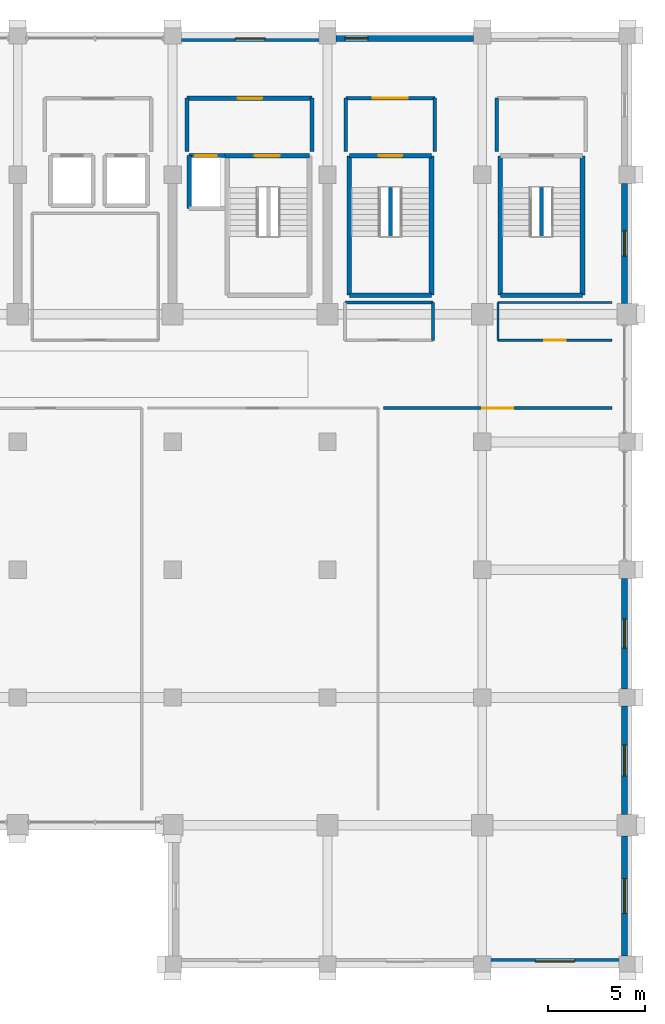
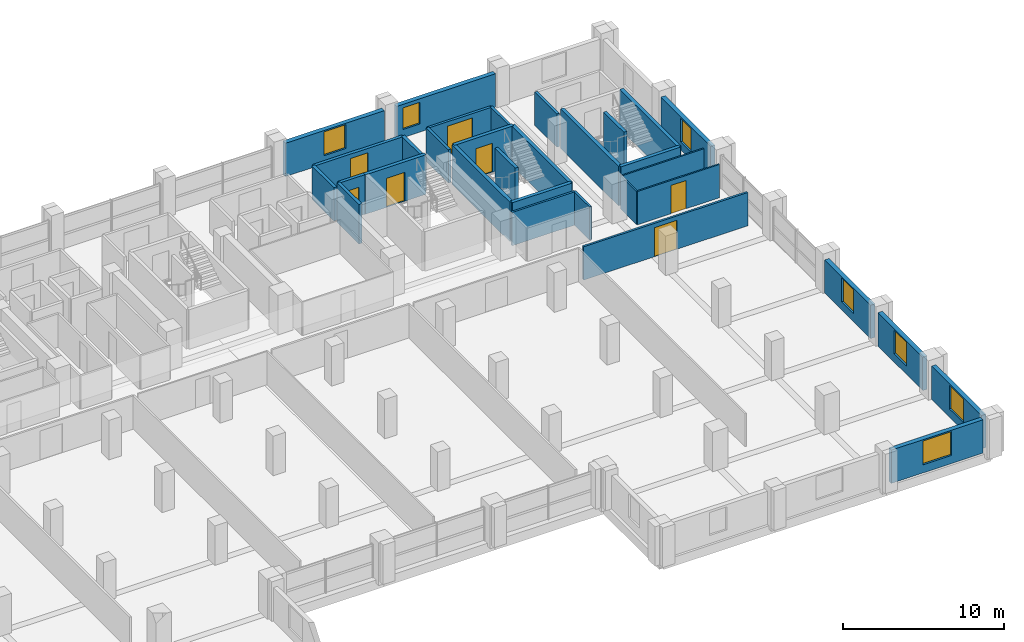
# One storey, part 19 of 21: 32 walls, 7 doors, 7 windows, 14 openings.
"""IFC4 building model written with IfcOpenShell, lengths in metres."""

from ifc_helpers import new_model, si_unit, direction, frame, frame_2d, origin, place, context, subcontext, project, spatial, rectangle, extrude, material, layer, layer_set, type_object, element, fill, save


model = new_model("IFC4")

# Units and contexts
model_context = context("Model", 3, precision=1e-05, world=origin(), true_north=direction((0.0, 1.0)))
body_context = subcontext(model_context, "Body", "Model", "MODEL_VIEW")
ifc_project = project(units=[si_unit("LENGTHUNIT", "METRE"), si_unit("AREAUNIT", "SQUARE_METRE"), si_unit("VOLUMEUNIT", "CUBIC_METRE"), si_unit("PLANEANGLEUNIT", "RADIAN"), si_unit("MASSUNIT", "GRAM", prefix="KILO")], contexts=[model_context])

# Site, building, storey
site_placement = place(None, origin())
site = spatial("IfcSite", under=ifc_project, at=site_placement, CompositionType="ELEMENT")
building_placement = place(site_placement, origin())
building = spatial("IfcBuilding", under=site, at=building_placement, Name="Akrevak Sports Hall", CompositionType="ELEMENT")
storey_placement = place(building_placement, frame((0.0, 0.0, 34.050048828125)))
storey = spatial("IfcBuildingStorey", under=building, at=storey_placement, Name="L07", CompositionType="ELEMENT", Elevation=34.050048828125)

# Wall, opening, window
ifc_material_1 = material(Name="Limestone Ashlar", Category="stone")
ifc_layer_1 = layer(ifc_material_1, 0.070068359375, Name="Limestone Ashlar")
ifc_material_2 = material(Name="Mineral Wool Thermal Insulation", Category="insulation")
ifc_layer_2 = layer(ifc_material_2, 0.090087890625, Name="Mineral Wool Thermal Insulation")
ifc_material_3 = material(Name="Concrete C40/50", Category="concrete")
ifc_layer_3 = layer(ifc_material_3, 0.159912109375, Name="Concrete C40/50")
ifc_layer_set_1 = layer_set([ifc_layer_1, ifc_layer_2, ifc_layer_3], Name="Limestone Ashlar / Mineral Wool Thermal Insulation / Concrete C40/50")
wall_type_1 = type_object("IfcWallType", Name="ARC-WL-EXT-320", PredefinedType="SOLIDWALL", material=ifc_layer_set_1)
wall_1_placement = place(storey_placement, frame((108.449951171875, 21.760009765625, 0.0), z_axis=(0.0, 0.0, 1.0), x_axis=(1.0, 0.0, 0.0)))
wall_1 = element("IfcWall", 1, at=wall_1_placement, inside=storey, type_object=wall_type_1, Name="Tower Stone Facade Wall L07-S11", PredefinedType="SOLIDWALL", context=body_context, shape_type="SweptSolid", body=[
    extrude(rectangle(XDim=6.60009765625, YDim=0.320068359375, at=frame_2d((3.300048828125, 0.0))), origin(), (0.0, 0.0, 1.0), 2.530029296875),
])
opening_1_placement = place(wall_1_placement, frame((2.27490234375, 0.0, 0.6201171875)))
opening_1 = element("IfcOpeningElement", 2, at=opening_1_placement, cuts=wall_1, Name="Opening WN-53", PredefinedType="OPENING", context=body_context, shape_type="SweptSolid", body=[
    extrude(rectangle(XDim=2.050048828125, YDim=1.81005859375, at=frame_2d((1.02490234375, 0.905029296875))), frame((0.0, 0.171875, 0.0), z_axis=(0.0, -1.0, 0.0), x_axis=(1.0, 0.0, 0.0)), (0.0, 0.0, 1.0), 0.343994140625),
])
ifc_material_4 = material(Name="Thermally Broken Bronze Frame & Double Low-E Glass", Category="glass")
window_type_1 = type_object("IfcWindowType", Name="ARC-WIN-SZ-2050x1810", PartitioningType="SINGLE_PANEL", PredefinedType="WINDOW", material=ifc_material_4)
window_1_placement = place(opening_1_placement, origin())
window_1 = element("IfcWindow", 3, at=window_1_placement, inside=storey, type_object=window_type_1, Name="Tower Window L07-S11", OverallHeight=1.81005859375, OverallWidth=2.050048828125, PartitioningType="SINGLE_PANEL", PredefinedType="WINDOW", context=body_context, shape_type="SweptSolid", body=[
    extrude(rectangle(XDim=2.050048828125, YDim=1.81005859375, at=frame_2d((1.02490234375, 0.905029296875))), frame((0.0, 0.030029296875, 0.0), z_axis=(0.0, -1.0, 0.0), x_axis=(1.0, 0.0, 0.0)), (0.0, 0.0, 1.0), 0.06005859375),
])
fill(opening_1, window_1)

wall_2_placement = place(storey_placement, frame((115.340087890625, 22.050048828125, 0.0), z_axis=(0.0, 0.0, 1.0), x_axis=(0.0, 1.0, 0.0)))
wall_2 = element("IfcWall", 4, at=wall_2_placement, inside=storey, type_object=wall_type_1, Name="Tower Stone Facade Wall L07-E12", PredefinedType="SOLIDWALL", context=body_context, shape_type="SweptSolid", body=[
    extrude(rectangle(XDim=6.199951171875, YDim=0.320068359375, at=frame_2d((3.10009765625, 0.0))), origin(), (0.0, 0.0, 1.0), 2.530029296875),
])
opening_2_placement = place(wall_2_placement, frame((2.199951171875, 0.0, 0.6201171875)))
opening_2 = element("IfcOpeningElement", 5, at=opening_2_placement, cuts=wall_2, Name="Opening WN-54", PredefinedType="OPENING", context=body_context, shape_type="SweptSolid", body=[
    extrude(rectangle(XDim=1.800048828125, YDim=1.81005859375, at=frame_2d((0.89990234375, 0.905029296875))), frame((0.0, 0.171875, 0.0), z_axis=(0.0, -1.0, 0.0), x_axis=(1.0, 0.0, 0.0)), (0.0, 0.0, 1.0), 0.343994140625),
])
window_type_2 = type_object("IfcWindowType", Name="ARC-WIN-SZ-1800x1810", PartitioningType="SINGLE_PANEL", PredefinedType="WINDOW", material=ifc_material_4)
window_2_placement = place(opening_2_placement, origin())
window_2 = element("IfcWindow", 6, at=window_2_placement, inside=storey, type_object=window_type_2, Name="Tower Window L07-E12", OverallHeight=1.81005859375, OverallWidth=1.800048828125, PartitioningType="SINGLE_PANEL", PredefinedType="WINDOW", context=body_context, shape_type="SweptSolid", body=[
    extrude(rectangle(XDim=1.800048828125, YDim=1.81005859375, at=frame_2d((0.89990234375, 0.905029296875))), frame((0.0, 0.030029296875, 0.0), z_axis=(0.0, -1.0, 0.0), x_axis=(1.0, 0.0, 0.0)), (0.0, 0.0, 1.0), 0.06005859375),
])
fill(opening_2, window_2)

wall_3_placement = place(storey_placement, frame((115.340087890625, 29.35009765625, 0.0), z_axis=(0.0, 0.0, 1.0), x_axis=(0.0, 1.0, 0.0)))
wall_3 = element("IfcWall", 7, at=wall_3_placement, inside=storey, type_object=wall_type_1, Name="Tower Stone Facade Wall L07-E13", PredefinedType="SOLIDWALL", context=body_context, shape_type="SweptSolid", body=[
    extrude(rectangle(XDim=5.599853515625, YDim=0.320068359375, at=frame_2d((2.7998046875, 0.0))), origin(), (0.0, 0.0, 1.0), 2.530029296875),
])
opening_3_placement = place(wall_3_placement, frame((2.0, 0.0, 0.6201171875)))
opening_3 = element("IfcOpeningElement", 8, at=opening_3_placement, cuts=wall_3, Name="Opening WN-57", PredefinedType="OPENING", context=body_context, shape_type="SweptSolid", body=[
    extrude(rectangle(XDim=1.60009765625, YDim=1.81005859375, at=frame_2d((0.800048828125, 0.905029296875))), frame((0.0, 0.171875, 0.0), z_axis=(0.0, -1.0, 0.0), x_axis=(1.0, 0.0, 0.0)), (0.0, 0.0, 1.0), 0.343994140625),
])
window_type_3 = type_object("IfcWindowType", Name="ARC-WIN-SZ-1600x1810", PartitioningType="SINGLE_PANEL", PredefinedType="WINDOW", material=ifc_material_4)
window_3_placement = place(opening_3_placement, origin())
window_3 = element("IfcWindow", 9, at=window_3_placement, inside=storey, type_object=window_type_3, Name="Tower Window L07-E13", OverallHeight=1.81005859375, OverallWidth=1.60009765625, PartitioningType="SINGLE_PANEL", PredefinedType="WINDOW", context=body_context, shape_type="SweptSolid", body=[
    extrude(rectangle(XDim=1.60009765625, YDim=1.81005859375, at=frame_2d((0.800048828125, 0.905029296875))), frame((0.0, 0.030029296875, 0.0), z_axis=(0.0, -1.0, 0.0), x_axis=(1.0, 0.0, 0.0)), (0.0, 0.0, 1.0), 0.06005859375),
])
fill(opening_3, window_3)

wall_4_placement = place(storey_placement, frame((115.340087890625, 35.85009765625, 0.0), z_axis=(0.0, 0.0, 1.0), x_axis=(0.0, 1.0, 0.0)))
wall_4 = element("IfcWall", 10, at=wall_4_placement, inside=storey, type_object=wall_type_1, Name="Tower Stone Facade Wall L07-E14", PredefinedType="SOLIDWALL", context=body_context, shape_type="SweptSolid", body=[
    extrude(rectangle(XDim=5.699951171875, YDim=0.320068359375, at=frame_2d((2.85009765625, 0.0))), origin(), (0.0, 0.0, 1.0), 2.530029296875),
])
opening_4_placement = place(wall_4_placement, frame((2.10009765625, 0.0, 0.6201171875)))
opening_4 = element("IfcOpeningElement", 11, at=opening_4_placement, cuts=wall_4, Name="Opening WN-48", PredefinedType="OPENING", context=body_context, shape_type="SweptSolid", body=[
    extrude(rectangle(XDim=1.5, YDim=1.81005859375, at=frame_2d((0.75, 0.905029296875))), frame((0.0, 0.171875, 0.0), z_axis=(0.0, -1.0, 0.0), x_axis=(1.0, 0.0, 0.0)), (0.0, 0.0, 1.0), 0.343994140625),
])
window_type_4 = type_object("IfcWindowType", Name="ARC-WIN-SZ-1500x1810", PartitioningType="SINGLE_PANEL", PredefinedType="WINDOW", material=ifc_material_4)
window_4_placement = place(opening_4_placement, origin())
window_4 = element("IfcWindow", 12, at=window_4_placement, inside=storey, type_object=window_type_4, Name="Tower Window L07-E14", OverallHeight=1.81005859375, OverallWidth=1.5, PartitioningType="SINGLE_PANEL", PredefinedType="WINDOW", context=body_context, shape_type="SweptSolid", body=[
    extrude(rectangle(XDim=1.5, YDim=1.81005859375, at=frame_2d((0.75, 0.905029296875))), frame((0.0, 0.030029296875, 0.0), z_axis=(0.0, -1.0, 0.0), x_axis=(1.0, 0.0, 0.0)), (0.0, 0.0, 1.0), 0.06005859375),
])
fill(opening_4, window_4)

wall_5_placement = place(storey_placement, frame((115.340087890625, 55.75, 0.0), z_axis=(0.0, 0.0, 1.0), x_axis=(0.0, 1.0, 0.0)))
wall_5 = element("IfcWall", 13, at=wall_5_placement, inside=storey, type_object=wall_type_1, Name="Tower Stone Facade Wall L07-E17", PredefinedType="SOLIDWALL", context=body_context, shape_type="SweptSolid", body=[
    extrude(rectangle(XDim=6.199951171875, YDim=0.320068359375, at=frame_2d((3.10009765625, 0.0))), origin(), (0.0, 0.0, 1.0), 2.530029296875),
])
opening_5_placement = place(wall_5_placement, frame((2.449951171875, 0.0, 0.6201171875)))
opening_5 = element("IfcOpeningElement", 14, at=opening_5_placement, cuts=wall_5, Name="Opening WN-12", PredefinedType="OPENING", context=body_context, shape_type="SweptSolid", body=[
    extrude(rectangle(XDim=1.300048828125, YDim=1.800048828125, at=frame_2d((0.64990234375, 0.89990234375))), frame((0.0, 0.171875, 0.0), z_axis=(0.0, -1.0, 0.0), x_axis=(1.0, 0.0, 0.0)), (0.0, 0.0, 1.0), 0.343994140625),
])
window_type_5 = type_object("IfcWindowType", Name="ARC-WIN-TW-130x180", PartitioningType="SINGLE_PANEL", PredefinedType="WINDOW", material=ifc_material_4)
window_5_placement = place(opening_5_placement, origin())
window_5 = element("IfcWindow", 15, at=window_5_placement, inside=storey, type_object=window_type_5, Name="Tower Window L07-E17", OverallHeight=1.800048828125, OverallWidth=1.300048828125, PartitioningType="SINGLE_PANEL", PredefinedType="WINDOW", context=body_context, shape_type="SweptSolid", body=[
    extrude(rectangle(XDim=1.300048828125, YDim=1.800048828125, at=frame_2d((0.64990234375, 0.89990234375))), frame((0.0, 0.030029296875, 0.0), z_axis=(0.0, -1.0, 0.0), x_axis=(1.0, 0.0, 0.0)), (0.0, 0.0, 1.0), 0.06005859375),
])
fill(opening_5, window_5)

wall_6_placement = place(storey_placement, frame((107.550048828125, 69.43994140625, 0.0), z_axis=(0.0, 0.0, 1.0), x_axis=(-1.0, 0.0, 0.0)))
wall_6 = element("IfcWall", 16, at=wall_6_placement, inside=storey, type_object=wall_type_1, Name="Tower Stone Facade Wall L07-N20", PredefinedType="SOLIDWALL", context=body_context, shape_type="SweptSolid", body=[
    extrude(rectangle(XDim=7.10009765625, YDim=0.320068359375, at=frame_2d((3.550048828125, 0.0))), origin(), (0.0, 0.0, 1.0), 2.530029296875),
])
opening_6_placement = place(wall_6_placement, frame((5.449951171875, 0.0, 0.6201171875)))
opening_6 = element("IfcOpeningElement", 17, at=opening_6_placement, cuts=wall_6, Name="Opening WN-45", PredefinedType="OPENING", context=body_context, shape_type="SweptSolid", body=[
    extrude(rectangle(XDim=1.199951171875, YDim=1.64990234375, at=frame_2d((0.60009765625, 0.824951171875))), frame((0.0, 0.171875, 0.0), z_axis=(0.0, -1.0, 0.0), x_axis=(1.0, 0.0, 0.0)), (0.0, 0.0, 1.0), 0.343994140625),
])
window_type_6 = type_object("IfcWindowType", Name="ARC-WIN-SZ-1200x1650", PartitioningType="SINGLE_PANEL", PredefinedType="WINDOW", material=ifc_material_4)
window_6_placement = place(opening_6_placement, origin())
window_6 = element("IfcWindow", 18, at=window_6_placement, inside=storey, type_object=window_type_6, Name="Tower Window L07-N20", OverallHeight=1.64990234375, OverallWidth=1.199951171875, PartitioningType="SINGLE_PANEL", PredefinedType="WINDOW", context=body_context, shape_type="SweptSolid", body=[
    extrude(rectangle(XDim=1.199951171875, YDim=1.64990234375, at=frame_2d((0.60009765625, 0.824951171875))), frame((0.0, 0.030029296875, 0.0), z_axis=(0.0, -1.0, 0.0), x_axis=(1.0, 0.0, 0.0)), (0.0, 0.0, 1.0), 0.06005859375),
])
fill(opening_6, window_6)

wall_7_placement = place(storey_placement, frame((99.550048828125, 69.43994140625, 0.0), z_axis=(0.0, 0.0, 1.0), x_axis=(-1.0, 0.0, 0.0)))
wall_7 = element("IfcWall", 19, at=wall_7_placement, inside=storey, type_object=wall_type_1, Name="Tower Stone Facade Wall L07-N21", PredefinedType="SOLIDWALL", context=body_context, shape_type="SweptSolid", body=[
    extrude(rectangle(XDim=7.10009765625, YDim=0.320068359375, at=frame_2d((3.550048828125, 0.0))), origin(), (0.0, 0.0, 1.0), 2.530029296875),
])
opening_7_placement = place(wall_7_placement, frame((2.77490234375, 0.0, 0.6201171875)))
opening_7 = element("IfcOpeningElement", 20, at=opening_7_placement, cuts=wall_7, Name="Opening WN-50", PredefinedType="OPENING", context=body_context, shape_type="SweptSolid", body=[
    extrude(rectangle(XDim=1.550048828125, YDim=1.81005859375, at=frame_2d((0.77490234375, 0.905029296875))), frame((0.0, 0.171875, 0.0), z_axis=(0.0, -1.0, 0.0), x_axis=(1.0, 0.0, 0.0)), (0.0, 0.0, 1.0), 0.343994140625),
])
window_type_7 = type_object("IfcWindowType", Name="ARC-WIN-SZ-1550x1810", PartitioningType="SINGLE_PANEL", PredefinedType="WINDOW", material=ifc_material_4)
window_7_placement = place(opening_7_placement, origin())
window_7 = element("IfcWindow", 21, at=window_7_placement, inside=storey, type_object=window_type_7, Name="Tower Window L07-N21", OverallHeight=1.81005859375, OverallWidth=1.550048828125, PartitioningType="SINGLE_PANEL", PredefinedType="WINDOW", context=body_context, shape_type="SweptSolid", body=[
    extrude(rectangle(XDim=1.550048828125, YDim=1.81005859375, at=frame_2d((0.77490234375, 0.905029296875))), frame((0.0, 0.030029296875, 0.0), z_axis=(0.0, -1.0, 0.0), x_axis=(1.0, 0.0, 0.0)), (0.0, 0.0, 1.0), 0.06005859375),
])
fill(opening_7, window_7)

# Wall, opening, door
ifc_material_5 = material(Name="Lightweight Office Partition", Category="gypsum")
ifc_layer_4 = layer(ifc_material_5, 0.110107421875, Name="Lightweight Office Partition")
ifc_layer_set_2 = layer_set([ifc_layer_4], Name="Lightweight Office Partition")
wall_type_2 = type_object("IfcWallType", Name="ARC-WL-PRT-110", PredefinedType="PARTITIONING", material=ifc_layer_set_2)
wall_8_placement = place(storey_placement, frame((108.800048828125, 53.85009765625, 0.0), z_axis=(0.0, 0.0, 1.0), x_axis=(1.0, 0.0, 0.0)))
wall_8 = element("IfcWall", 22, at=wall_8_placement, inside=storey, type_object=wall_type_2, Name="Interior Partition International Athletics Office L07-E3 (S)", PredefinedType="PARTITIONING", context=body_context, shape_type="SweptSolid", body=[
    extrude(rectangle(XDim=5.89990234375, YDim=0.110107421875, at=frame_2d((2.949951171875, 0.0))), origin(), (0.0, 0.0, 1.0), 2.530029296875),
])
opening_8_placement = place(wall_8_placement, frame((2.39990234375, 0.0, 0.0)))
opening_8 = element("IfcOpeningElement", 23, at=opening_8_placement, cuts=wall_8, Name="Opening ID-04", PredefinedType="OPENING", context=body_context, shape_type="SweptSolid", body=[
    extrude(rectangle(XDim=1.10009765625, YDim=2.14990234375, at=frame_2d((0.550048828125, 1.074951171875))), frame((0.0, 0.06689453125, 0.0), z_axis=(0.0, -1.0, 0.0), x_axis=(1.0, 0.0, 0.0)), (0.0, 0.0, 1.0), 0.134033203125),
])
ifc_material_6 = material(Name="Hardwood Oak Acoustic Leaf", Category="wood")
door_type_1 = type_object("IfcDoorType", Name="ARC-DR-OFF-110x215", OperationType="NOTDEFINED", PredefinedType="DOOR", material=ifc_material_6)
door_1_placement = place(opening_8_placement, origin())
door_1 = element("IfcDoor", 24, at=door_1_placement, inside=storey, type_object=door_type_1, Name="Door to International Athletics Office L07-E3", OperationType="SINGLE_SWING_LEFT", OverallHeight=2.14990234375, OverallWidth=1.10009765625, PredefinedType="DOOR", context=body_context, shape_type="SweptSolid", body=[
    extrude(rectangle(XDim=1.10009765625, YDim=2.14990234375, at=frame_2d((0.550048828125, 1.074951171875))), frame((0.0, 0.02490234375, 0.0), z_axis=(0.0, -1.0, 0.0), x_axis=(1.0, 0.0, 0.0)), (0.0, 0.0, 1.0), 0.050048828125),
])
fill(opening_8, door_1)

# Walls
wall_9_placement = place(storey_placement, frame((108.800048828125, 55.800048828125, 0.0), z_axis=(0.0, 0.0, 1.0), x_axis=(1.0, 0.0, 0.0)))
element("IfcWall", 25, at=wall_9_placement, inside=storey, type_object=wall_type_2, Name="Interior Partition International Athletics Office L07-E3 (N)", PredefinedType="PARTITIONING", context=body_context, shape_type="SweptSolid", body=[
    extrude(rectangle(XDim=5.89990234375, YDim=0.110107421875, at=frame_2d((2.949951171875, 0.0))), origin(), (0.0, 0.0, 1.0), 2.530029296875),
])
wall_10_placement = place(storey_placement, frame((108.800048828125, 53.85009765625, 0.0), z_axis=(0.0, 0.0, 1.0), x_axis=(0.0, 1.0, 0.0)))
element("IfcWall", 26, at=wall_10_placement, inside=storey, type_object=wall_type_2, Name="Interior Partition International Athletics Office L07-E3 (W)", PredefinedType="PARTITIONING", context=body_context, shape_type="SweptSolid", body=[
    extrude(rectangle(XDim=1.949951171875, YDim=0.110107421875, at=frame_2d((0.97509765625, 0.0))), origin(), (0.0, 0.0, 1.0), 2.530029296875),
])

# Wall, opening, door
ifc_material_7 = material(Name="Double Stud Acoustic Gypsum Partition", Category="gypsum")
ifc_layer_5 = layer(ifc_material_7, 0.14990234375, Name="Double Stud Acoustic Gypsum Partition")
ifc_layer_set_3 = layer_set([ifc_layer_5], Name="Double Stud Acoustic Gypsum Partition")
wall_type_3 = type_object("IfcWallType", Name="ARC-WL-PRT-150", PredefinedType="PARTITIONING", material=ifc_layer_set_3)
wall_11_placement = place(storey_placement, frame((102.89990234375, 50.35009765625, 0.0), z_axis=(0.0, 0.0, 1.0), x_axis=(1.0, 0.0, 0.0)))
wall_11 = element("IfcWall", 27, at=wall_11_placement, inside=storey, type_object=wall_type_3, Name="Interior Partition Executive Board Conference Room (L07) (N)", PredefinedType="PARTITIONING", context=body_context, shape_type="SweptSolid", body=[
    extrude(rectangle(XDim=11.800048828125, YDim=0.14990234375, at=frame_2d((5.89990234375, 0.0))), origin(), (0.0, 0.0, 1.0), 2.530029296875),
])
opening_9_placement = place(wall_11_placement, frame((5.10009765625, 0.0, 0.0)))
opening_9 = element("IfcOpeningElement", 28, at=opening_9_placement, cuts=wall_11, Name="Opening ID-03", PredefinedType="OPENING", context=body_context, shape_type="SweptSolid", body=[
    extrude(rectangle(XDim=1.60009765625, YDim=2.199951171875, at=frame_2d((0.800048828125, 1.10009765625))), frame((0.0, 0.0869140625, 0.0), z_axis=(0.0, -1.0, 0.0), x_axis=(1.0, 0.0, 0.0)), (0.0, 0.0, 1.0), 0.173828125),
])
ifc_material_8 = material(Name="Hardwood Oak & Safety Glass", Category="wood")
door_type_2 = type_object("IfcDoorType", Name="ARC-DR-HALL-160x220", OperationType="DOUBLE_DOOR_SINGLE_SWING", PredefinedType="DOOR", material=ifc_material_8)
door_2_placement = place(opening_9_placement, origin())
door_2 = element("IfcDoor", 29, at=door_2_placement, inside=storey, type_object=door_type_2, Name="Door to Executive Board Conference Room (L07)", OperationType="DOUBLE_DOOR_SINGLE_SWING", OverallHeight=2.199951171875, OverallWidth=1.60009765625, PredefinedType="DOOR", context=body_context, shape_type="SweptSolid", body=[
    extrude(rectangle(XDim=1.60009765625, YDim=2.199951171875, at=frame_2d((0.800048828125, 1.10009765625))), frame((0.0, 0.02490234375, 0.0), z_axis=(0.0, -1.0, 0.0), x_axis=(1.0, 0.0, 0.0)), (0.0, 0.0, 1.0), 0.050048828125),
])
fill(opening_9, door_2)

# Walls
wall_12_placement = place(storey_placement, frame((100.89990234375, 55.800048828125, 0.0), z_axis=(0.0, 0.0, 1.0), x_axis=(1.0, 0.0, 0.0)))
element("IfcWall", 30, at=wall_12_placement, inside=storey, type_object=wall_type_3, Name="Interior Partition Federation Research Office L07-E1 (N)", PredefinedType="PARTITIONING", context=body_context, shape_type="SweptSolid", body=[
    extrude(rectangle(XDim=4.550048828125, YDim=0.14990234375, at=frame_2d((2.27490234375, 0.0))), origin(), (0.0, 0.0, 1.0), 2.530029296875),
])
wall_13_placement = place(storey_placement, frame((105.449951171875, 53.85009765625, 0.0), z_axis=(0.0, 0.0, 1.0), x_axis=(0.0, 1.0, 0.0)))
element("IfcWall", 31, at=wall_13_placement, inside=storey, type_object=wall_type_3, Name="Interior Partition Federation Research Office L07-E1 (E)", PredefinedType="PARTITIONING", context=body_context, shape_type="SweptSolid", body=[
    extrude(rectangle(XDim=1.949951171875, YDim=0.14990234375, at=frame_2d((0.97509765625, 0.0))), origin(), (0.0, 0.0, 1.0), 2.530029296875),
])

# Wall, opening, door
ifc_material_9 = material(Name="Autoclaved Aerated Masonry Block", Category="masonry")
ifc_layer_6 = layer(ifc_material_9, 0.179931640625, Name="Autoclaved Aerated Masonry Block")
ifc_layer_set_4 = layer_set([ifc_layer_6], Name="Autoclaved Aerated Masonry Block")
wall_type_4 = type_object("IfcWallType", Name="ARC-WL-PRT-180", PredefinedType="PARTITIONING", material=ifc_layer_set_4)
wall_14_placement = place(storey_placement, frame((100.949951171875, 66.35009765625, 0.0), z_axis=(0.0, 0.0, 1.0), x_axis=(1.0, 0.0, 0.0)))
wall_14 = element("IfcWall", 32, at=wall_14_placement, inside=storey, type_object=wall_type_4, Name="Interior Partition East Wing Stair ST10 Vestibule L07 (N)", PredefinedType="PARTITIONING", context=body_context, shape_type="SweptSolid", body=[
    extrude(rectangle(XDim=4.60009765625, YDim=0.179931640625, at=frame_2d((2.300048828125, 0.0))), origin(), (0.0, 0.0, 1.0), 2.530029296875),
])
opening_10_placement = place(wall_14_placement, frame((1.39990234375, 0.0, 0.0)))
opening_10 = element("IfcOpeningElement", 33, at=opening_10_placement, cuts=wall_14, Name="Opening FD-02", PredefinedType="OPENING", context=body_context, shape_type="SweptSolid", body=[
    extrude(rectangle(XDim=1.800048828125, YDim=2.199951171875, at=frame_2d((0.89990234375, 1.10009765625))), frame((0.0, 0.10205078125, 0.0), z_axis=(0.0, -1.0, 0.0), x_axis=(1.0, 0.0, 0.0)), (0.0, 0.0, 1.0), 0.203857421875),
])
ifc_material_10 = material(Name="Fire-Rated Galvanized Door Steel", Category="steel")
door_type_3 = type_object("IfcDoorType", Name="ARC-DR-FIRE-180x220", OperationType="DOUBLE_DOOR_SINGLE_SWING", PredefinedType="DOOR", material=ifc_material_10)
door_3_placement = place(opening_10_placement, frame((1.800048828125, 0.0, 0.0), z_axis=(0.0, 0.0, 1.0), x_axis=(-1.0, 0.0, 0.0)))
door_3 = element("IfcDoor", 34, at=door_3_placement, inside=storey, type_object=door_type_3, Name="Door to East Wing Stair ST10 Vestibule L07", OperationType="DOUBLE_DOOR_SINGLE_SWING", OverallHeight=2.199951171875, OverallWidth=1.800048828125, PredefinedType="DOOR", context=body_context, shape_type="SweptSolid", body=[
    extrude(rectangle(XDim=1.800048828125, YDim=2.199951171875, at=frame_2d((0.89990234375, 1.10009765625))), frame((0.0, 0.02490234375, 0.0), z_axis=(0.0, -1.0, 0.0), x_axis=(1.0, 0.0, 0.0)), (0.0, 0.0, 1.0), 0.050048828125),
])
fill(opening_10, door_3)

# Walls
for number, where, z_axis, x_axis, name in (
    (35, (100.949951171875, 63.60009765625, 0.0), (0.0, 0.0, 1.0), (0.0, 1.0, 0.0), "Interior Partition East Wing Stair ST10 Vestibule L07 (W)"),
    (36, (105.550048828125, 63.60009765625, 0.0), (0.0, 0.0, 1.0), (0.0, 1.0, 0.0), "Interior Partition East Wing Stair ST10 Vestibule L07 (E)"),
    (37, (108.75, 63.60009765625, 0.0), (0.0, 0.0, 1.0), (0.0, 1.0, 0.0), "Interior Partition East Transfer Stair ST11 Vestibule L07 (W)"),
):
    element("IfcWall", number, at=place(storey_placement, frame(where, z_axis=z_axis, x_axis=x_axis)), inside=storey, type_object=wall_type_4, Name=name, PredefinedType="PARTITIONING", context=body_context, shape_type="SweptSolid", body=[
        extrude(rectangle(XDim=2.75, YDim=0.179931640625, at=frame_2d((1.375, 0.0))), origin(), (0.0, 0.0, 1.0), 2.530029296875),
    ])
ifc_layer_7 = layer(ifc_material_3, 0.219970703125, Name="Concrete C40/50")
ifc_layer_set_5 = layer_set([ifc_layer_7], Name="Concrete C40/50")
wall_type_5 = type_object("IfcWallType", Name="ARC-WL-PRT-220", PredefinedType="PARTITIONING", material=ifc_layer_set_5)
for number, where, z_axis, x_axis, name in (
    (38, (103.25, 59.215087890625, 0.0), (0.0, 0.0, 1.0), (0.0, 1.0, 0.0), "Stair ST10 Central Spine Wall (L07)"),
    (39, (111.050048828125, 59.215087890625, 0.0), (0.0, 0.0, 1.0), (0.0, 1.0, 0.0), "Stair ST11 Central Spine Wall (L07)"),
):
    element("IfcWall", number, at=place(storey_placement, frame(where, z_axis=z_axis, x_axis=x_axis)), inside=storey, type_object=wall_type_5, Name=name, PredefinedType="PARTITIONING", context=body_context, shape_type="SweptSolid", body=[
        extrude(rectangle(XDim=2.52001953125, YDim=0.219970703125, at=frame_2d((1.260009765625, 0.0))), origin(), (0.0, 0.0, 1.0), 3.0),
    ])

# Wall, opening, door
wall_15_placement = place(storey_placement, frame((92.75, 66.35009765625, 0.0), z_axis=(0.0, 0.0, 1.0), x_axis=(1.0, 0.0, 0.0)))
wall_15 = element("IfcWall", 40, at=wall_15_placement, inside=storey, type_object=wall_type_5, Name="Interior Partition Firefighting Lobby East L07 (N)", PredefinedType="PARTITIONING", context=body_context, shape_type="SweptSolid", body=[
    extrude(rectangle(XDim=6.449951171875, YDim=0.219970703125, at=frame_2d((3.22509765625, 0.0))), origin(), (0.0, 0.0, 1.0), 2.530029296875),
])
opening_11_placement = place(wall_15_placement, frame((2.625, 0.0, 0.0)))
opening_11 = element("IfcOpeningElement", 41, at=opening_11_placement, cuts=wall_15, Name="Opening FD-01", PredefinedType="OPENING", context=body_context, shape_type="SweptSolid", body=[
    extrude(rectangle(XDim=1.25, YDim=2.199951171875, at=frame_2d((0.625, 1.10009765625))), frame((0.0, 0.1220703125, 0.0), z_axis=(0.0, -1.0, 0.0), x_axis=(1.0, 0.0, 0.0)), (0.0, 0.0, 1.0), 0.243896484375),
])
door_type_4 = type_object("IfcDoorType", Name="ARC-DR-FFL-125x220", OperationType="NOTDEFINED", PredefinedType="DOOR", material=ifc_material_10)
door_4_placement = place(opening_11_placement, frame((1.25, 0.0, 0.0), z_axis=(0.0, 0.0, 1.0), x_axis=(-1.0, 0.0, 0.0)))
door_4 = element("IfcDoor", 42, at=door_4_placement, inside=storey, type_object=door_type_4, Name="Door to Firefighting Lobby East L07", OperationType="SINGLE_SWING_LEFT", OverallHeight=2.199951171875, OverallWidth=1.25, PredefinedType="DOOR", context=body_context, shape_type="SweptSolid", body=[
    extrude(rectangle(XDim=1.25, YDim=2.199951171875, at=frame_2d((0.625, 1.10009765625))), frame((0.0, 0.02490234375, 0.0), z_axis=(0.0, -1.0, 0.0), x_axis=(1.0, 0.0, 0.0)), (0.0, 0.0, 1.0), 0.050048828125),
])
fill(opening_11, door_4)

# Walls
for number, where, z_axis, x_axis, name in (
    (43, (92.75, 63.60009765625, 0.0), (0.0, 0.0, 1.0), (0.0, 1.0, 0.0), "Interior Partition Firefighting Lobby East L07 (W)"),
    (44, (99.199951171875, 63.60009765625, 0.0), (0.0, 0.0, 1.0), (0.0, 1.0, 0.0), "Interior Partition Firefighting Lobby East L07 (E)"),
):
    element("IfcWall", number, at=place(storey_placement, frame(where, z_axis=z_axis, x_axis=x_axis)), inside=storey, type_object=wall_type_5, Name=name, PredefinedType="PARTITIONING", context=body_context, shape_type="SweptSolid", body=[
        extrude(rectangle(XDim=2.75, YDim=0.219970703125, at=frame_2d((1.375, 0.0))), origin(), (0.0, 0.0, 1.0), 2.530029296875),
    ])

# Wall, opening, door
ifc_material_11 = material(Name="Concrete C50/60", Category="concrete")
ifc_layer_8 = layer(ifc_material_11, 0.219970703125, Name="Concrete C50/60")
ifc_layer_set_6 = layer_set([ifc_layer_8], Name="Concrete C50/60")
wall_type_6 = type_object("IfcWallType", Name="ARC-WL-SHAFT-220", PredefinedType="SHEAR", material=ifc_layer_set_6)
wall_16_placement = place(storey_placement, frame((94.699951171875, 63.389892578125, 0.0), z_axis=(0.0, 0.0, 1.0), x_axis=(-1.0, 0.0, 0.0)))
wall_16 = element("IfcWall", 45, at=wall_16_placement, inside=storey, type_object=wall_type_6, Name="Lift Shaft LF-FF2 Wall N (L07)", PredefinedType="SHEAR", context=body_context, shape_type="SweptSolid", body=[
    extrude(rectangle(XDim=1.83984375, YDim=0.219970703125, at=frame_2d((0.919921875, 0.0))), origin(), (0.0, 0.0, 1.0), 3.0),
])
opening_12_placement = place(wall_16_placement, frame((0.425048828125, 0.0, 0.0)))
opening_12 = element("IfcOpeningElement", 46, at=opening_12_placement, cuts=wall_16, Name="Opening LD-01", PredefinedType="OPENING", context=body_context, shape_type="SweptSolid", body=[
    extrude(rectangle(XDim=1.10009765625, YDim=2.199951171875, at=frame_2d((0.550048828125, 1.10009765625))), frame((0.0, 0.1220703125, 0.0), z_axis=(0.0, -1.0, 0.0), x_axis=(1.0, 0.0, 0.0)), (0.0, 0.0, 1.0), 0.243896484375),
])
ifc_material_12 = material(Name="Brushed Stainless Steel 304", Category="steel")
door_type_5 = type_object("IfcDoorType", Name="ARC-DR-LD-110x220", OperationType="SLIDING_TO_LEFT", PredefinedType="DOOR", material=ifc_material_12)
door_5_placement = place(opening_12_placement, origin())
door_5 = element("IfcDoor", 47, at=door_5_placement, inside=storey, type_object=door_type_5, Name="Lift LF-FF2 Sliding Landing Door (L07)", OperationType="SLIDING_TO_RIGHT", OverallHeight=2.199951171875, OverallWidth=1.10009765625, PredefinedType="DOOR", context=body_context, shape_type="SweptSolid", body=[
    extrude(rectangle(XDim=1.10009765625, YDim=2.199951171875, at=frame_2d((0.550048828125, 1.10009765625))), frame((0.0, 0.02490234375, 0.0), z_axis=(0.0, -1.0, 0.0), x_axis=(1.0, 0.0, 0.0)), (0.0, 0.0, 1.0), 0.050048828125),
])
fill(opening_12, door_5)

# Wall
wall_17_placement = place(storey_placement, frame((92.860107421875, 63.389892578125, 0.0), z_axis=(0.0, 0.0, 1.0), x_axis=(0.0, -1.0, 0.0)))
element("IfcWall", 48, at=wall_17_placement, inside=storey, type_object=wall_type_6, Name="Lift Shaft LF-FF2 Wall W (L07)", PredefinedType="SHEAR", context=body_context, shape_type="SweptSolid", body=[
    extrude(rectangle(XDim=2.72998046875, YDim=0.219970703125, at=frame_2d((1.364990234375, 0.0))), origin(), (0.0, 0.0, 1.0), 3.0),
])

# Wall, opening, door
ifc_layer_9 = layer(ifc_material_11, 0.25, Name="Concrete C50/60")
ifc_layer_set_7 = layer_set([ifc_layer_9], Name="Concrete C50/60")
wall_type_7 = type_object("IfcWallType", Name="STR-WL-STAIR-250", PredefinedType="SHEAR", material=ifc_layer_set_7)
wall_18_placement = place(storey_placement, frame((99.074951171875, 63.375, 0.0), z_axis=(0.0, 0.0, 1.0), x_axis=(-1.0, 0.0, 0.0)))
wall_18 = element("IfcWall", 49, at=wall_18_placement, inside=storey, type_object=wall_type_7, Name="Stair Core ST2 Shear Wall N (L07)", PredefinedType="SHEAR", context=body_context, shape_type="SweptSolid", body=[
    extrude(rectangle(XDim=4.375, YDim=0.25, at=frame_2d((2.1875, 0.0))), origin(), (0.0, 0.0, 1.0), 3.0),
])
opening_13_placement = place(wall_18_placement, frame((1.53759765625, 0.0, 0.0)))
opening_13 = element("IfcOpeningElement", 50, at=opening_13_placement, cuts=wall_18, Name="Opening SD-01", PredefinedType="OPENING", context=body_context, shape_type="SweptSolid", body=[
    extrude(rectangle(XDim=1.300048828125, YDim=2.199951171875, at=frame_2d((0.64990234375, 1.10009765625))), frame((0.0, 0.136962890625, 0.0), z_axis=(0.0, -1.0, 0.0), x_axis=(1.0, 0.0, 0.0)), (0.0, 0.0, 1.0), 0.27392578125),
])
door_type_6 = type_object("IfcDoorType", Name="ARC-DR-STAIR-130x220", OperationType="NOTDEFINED", PredefinedType="DOOR", material=ifc_material_10)
door_6_placement = place(opening_13_placement, origin())
door_6 = element("IfcDoor", 51, at=door_6_placement, inside=storey, type_object=door_type_6, Name="Exit Stair ST2 Door (L07)", OperationType="SINGLE_SWING_RIGHT", OverallHeight=2.199951171875, OverallWidth=1.300048828125, PredefinedType="DOOR", context=body_context, shape_type="SweptSolid", body=[
    extrude(rectangle(XDim=1.300048828125, YDim=2.199951171875, at=frame_2d((0.64990234375, 1.10009765625))), frame((0.0, 0.02490234375, 0.0), z_axis=(0.0, -1.0, 0.0), x_axis=(1.0, 0.0, 0.0)), (0.0, 0.0, 1.0), 0.050048828125),
])
fill(opening_13, door_6)

# Wall
wall_19_placement = place(storey_placement, frame((101.125, 56.175048828125, 0.0), z_axis=(0.0, 0.0, 1.0), x_axis=(1.0, 0.0, 0.0)))
element("IfcWall", 52, at=wall_19_placement, inside=storey, type_object=wall_type_7, Name="Stair Core ST10 Shear Wall S (L07)", PredefinedType="SHEAR", context=body_context, shape_type="SweptSolid", body=[
    extrude(rectangle(XDim=4.25, YDim=0.25, at=frame_2d((2.125, 0.0))), origin(), (0.0, 0.0, 1.0), 3.0),
])

# Wall, opening, door
wall_20_placement = place(storey_placement, frame((105.375, 63.375, 0.0), z_axis=(0.0, 0.0, 1.0), x_axis=(-1.0, 0.0, 0.0)))
wall_20 = element("IfcWall", 53, at=wall_20_placement, inside=storey, type_object=wall_type_7, Name="Stair Core ST10 Shear Wall N (L07)", PredefinedType="SHEAR", context=body_context, shape_type="SweptSolid", body=[
    extrude(rectangle(XDim=4.25, YDim=0.25, at=frame_2d((2.125, 0.0))), origin(), (0.0, 0.0, 1.0), 3.0),
])
opening_14_placement = place(wall_20_placement, frame((1.52490234375, 0.0, 0.0)))
opening_14 = element("IfcOpeningElement", 54, at=opening_14_placement, cuts=wall_20, Name="Opening SD-02", PredefinedType="OPENING", context=body_context, shape_type="SweptSolid", body=[
    extrude(rectangle(XDim=1.199951171875, YDim=2.199951171875, at=frame_2d((0.60009765625, 1.10009765625))), frame((0.0, 0.136962890625, 0.0), z_axis=(0.0, -1.0, 0.0), x_axis=(1.0, 0.0, 0.0)), (0.0, 0.0, 1.0), 0.27392578125),
])
door_type_7 = type_object("IfcDoorType", Name="ARC-DR-STAIR-120x220", OperationType="NOTDEFINED", PredefinedType="DOOR", material=ifc_material_10)
door_7_placement = place(opening_14_placement, origin())
door_7 = element("IfcDoor", 55, at=door_7_placement, inside=storey, type_object=door_type_7, Name="Exit Stair ST10 Door (L07)", OperationType="SINGLE_SWING_RIGHT", OverallHeight=2.199951171875, OverallWidth=1.199951171875, PredefinedType="DOOR", context=body_context, shape_type="SweptSolid", body=[
    extrude(rectangle(XDim=1.199951171875, YDim=2.199951171875, at=frame_2d((0.60009765625, 1.10009765625))), frame((0.0, 0.02490234375, 0.0), z_axis=(0.0, -1.0, 0.0), x_axis=(1.0, 0.0, 0.0)), (0.0, 0.0, 1.0), 0.050048828125),
])
fill(opening_14, door_7)

# Walls
for number, where, z_axis, x_axis, name in (
    (56, (101.125, 63.375, 0.0), (0.0, 0.0, 1.0), (0.0, -1.0, 0.0), "Stair Core ST10 Shear Wall W (L07)"),
    (57, (105.375, 56.175048828125, 0.0), (0.0, 0.0, 1.0), (0.0, 1.0, 0.0), "Stair Core ST10 Shear Wall E (L07)"),
):
    element("IfcWall", number, at=place(storey_placement, frame(where, z_axis=z_axis, x_axis=x_axis)), inside=storey, type_object=wall_type_7, Name=name, PredefinedType="SHEAR", context=body_context, shape_type="SweptSolid", body=[
        extrude(rectangle(XDim=7.199951171875, YDim=0.25, at=frame_2d((3.60009765625, 0.0))), origin(), (0.0, 0.0, 1.0), 3.0),
    ])
wall_21_placement = place(storey_placement, frame((108.925048828125, 56.175048828125, 0.0), z_axis=(0.0, 0.0, 1.0), x_axis=(1.0, 0.0, 0.0)))
element("IfcWall", 58, at=wall_21_placement, inside=storey, type_object=wall_type_7, Name="Stair Core ST11 Shear Wall S (L07)", PredefinedType="SHEAR", context=body_context, shape_type="SweptSolid", body=[
    extrude(rectangle(XDim=4.25, YDim=0.25, at=frame_2d((2.125, 0.0))), origin(), (0.0, 0.0, 1.0), 3.0),
])
for number, where, z_axis, x_axis, name in (
    (59, (108.925048828125, 63.375, 0.0), (0.0, 0.0, 1.0), (0.0, -1.0, 0.0), "Stair Core ST11 Shear Wall W (L07)"),
    (60, (113.175048828125, 56.175048828125, 0.0), (0.0, 0.0, 1.0), (0.0, 1.0, 0.0), "Stair Core ST11 Shear Wall E (L07)"),
):
    element("IfcWall", number, at=place(storey_placement, frame(where, z_axis=z_axis, x_axis=x_axis)), inside=storey, type_object=wall_type_7, Name=name, PredefinedType="SHEAR", context=body_context, shape_type="SweptSolid", body=[
        extrude(rectangle(XDim=7.199951171875, YDim=0.25, at=frame_2d((3.60009765625, 0.0))), origin(), (0.0, 0.0, 1.0), 3.0),
    ])

save(model, "model.ifc")
